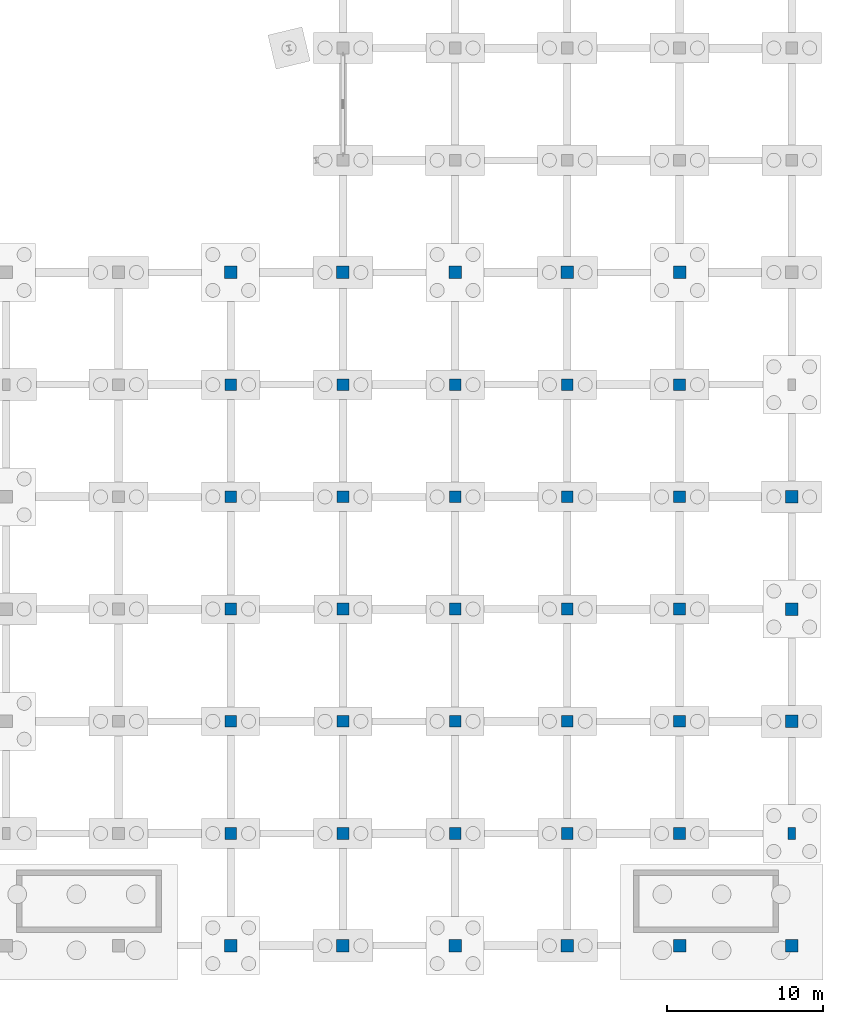
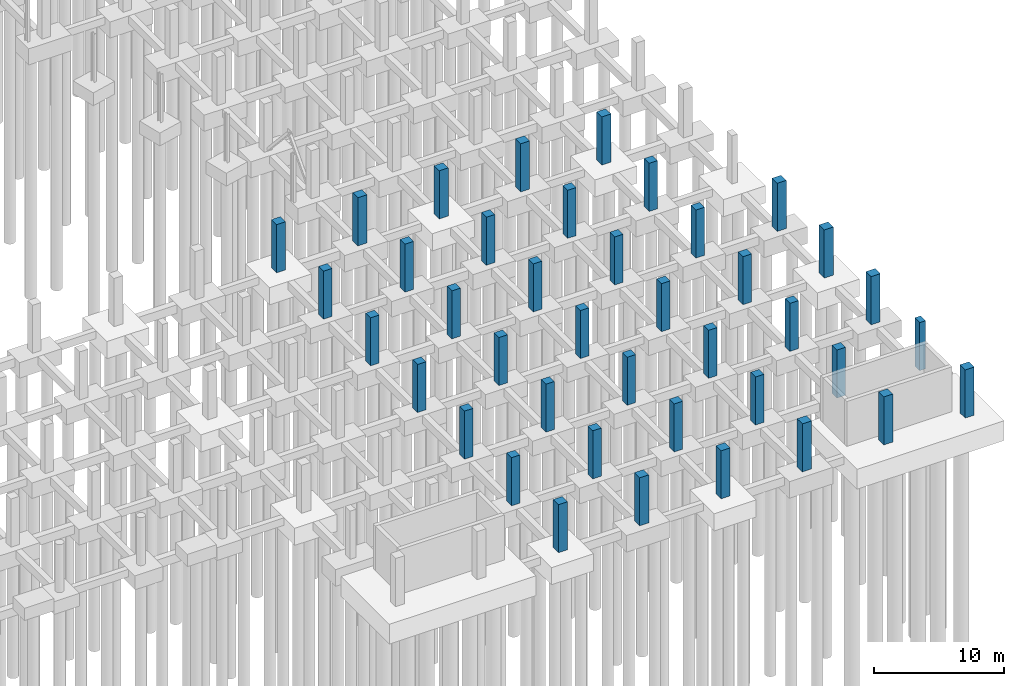
# One storey, part 19 of 36: 40 columns.
"""IFC4 building model written with IfcOpenShell, lengths in metres."""

from ifc_helpers import new_model, si_unit, direction, frame, origin, origin_2d, place, context, subcontext, project, spatial, rectangle, extrude, material, material_profile, profile_set, type_object, element, save


model = new_model("IFC4")

# Units and contexts
model_context = context("Model", 3, precision=1e-05, world=origin(), true_north=direction((0.0, 1.0)))
body_context = subcontext(model_context, "Body", "Model", "MODEL_VIEW")
ifc_project = project(units=[si_unit("LENGTHUNIT", "METRE"), si_unit("AREAUNIT", "SQUARE_METRE"), si_unit("VOLUMEUNIT", "CUBIC_METRE"), si_unit("PLANEANGLEUNIT", "RADIAN"), si_unit("MASSUNIT", "GRAM", prefix="KILO")], contexts=[model_context])

# Site, building, storey
site_placement = place(None, origin())
site = spatial("IfcSite", under=ifc_project, at=site_placement, CompositionType="ELEMENT")
building_placement = place(site_placement, origin())
building = spatial("IfcBuilding", under=site, at=building_placement, Name="Kalmorath City Hall", CompositionType="ELEMENT")
storey_placement = place(building_placement, frame((0.0, 0.0, -4.5)))
storey = spatial("IfcBuildingStorey", under=building, at=storey_placement, Name="B1", CompositionType="ELEMENT", Elevation=-4.5)

# Columns
ifc_material_1 = material(Name="Concrete C50/60", Category="concrete")
ifc_material_profile_1 = material_profile(ifc_material_1, rectangle(XDim=0.5, YDim=0.75, at=origin_2d()), Name="RC-PIL-500X750")
ifc_profile_set_1 = profile_set([ifc_material_profile_1], Name="Concrete C50/60")
column_type_1 = type_object("IfcColumnType", Name="Concrete acoustic wall pilaster 500x750", PredefinedType="PILASTER", material=ifc_profile_set_1)
column_placement = place(storey_placement, frame((165.60009765625, 7.199951171875, 0.0), z_axis=(0.0, 0.0, 1.0), x_axis=(1.0, 0.0, 0.0)))
element("IfcColumn", 1, at=column_placement, inside=storey, type_object=column_type_1, Name="B1 column CP1 (24/2)", PredefinedType="PILASTER", context=body_context, shape_type="SweptSolid", body=[
    extrude(rectangle(XDim=0.5, YDim=0.75, at=origin_2d()), origin(), (0.0, 0.0, 1.0), 4.5),
])
ifc_material_2 = material(Name="Concrete C50/60", Category="concrete")
ifc_material_profile_2 = material_profile(ifc_material_2, rectangle(XDim=0.75, YDim=0.75, at=origin_2d()), Name="RC-COL-750X750")
ifc_profile_set_2 = profile_set([ifc_material_profile_2], Name="Concrete C50/60")
column_type_2 = type_object("IfcColumnType", Name="Concrete column 750x750", PredefinedType="COLUMN", material=ifc_profile_set_2)
for number, where, z_axis, x_axis, name in (
    (2, (129.60009765625, 7.199951171875, 0.0), (0.0, 0.0, 1.0), (1.0, 0.0, 0.0), "B1 column C3 (19/2)"),
    (3, (129.60009765625, 14.39990234375, 0.0), (0.0, 0.0, 1.0), (1.0, 0.0, 0.0), "B1 column C3 (19/3)"),
    (4, (129.60009765625, 21.60009765625, 0.0), (0.0, 0.0, 1.0), (1.0, 0.0, 0.0), "B1 column C3 (19/4)"),
    (5, (129.60009765625, 28.800048828125, 0.0), (0.0, 0.0, 1.0), (1.0, 0.0, 0.0), "B1 column C3 (19/5)"),
    (6, (129.60009765625, 36.0, 0.0), (0.0, 0.0, 1.0), (1.0, 0.0, 0.0), "B1 column C3 (19/6)"),
    (7, (136.800048828125, 7.199951171875, 0.0), (0.0, 0.0, 1.0), (1.0, 0.0, 0.0), "B1 column C3 (20/2)"),
    (8, (136.800048828125, 14.39990234375, 0.0), (0.0, 0.0, 1.0), (1.0, 0.0, 0.0), "B1 column C3 (20/3)"),
    (9, (136.800048828125, 21.60009765625, 0.0), (0.0, 0.0, 1.0), (1.0, 0.0, 0.0), "B1 column C3 (20/4)"),
    (10, (136.800048828125, 28.800048828125, 0.0), (0.0, 0.0, 1.0), (1.0, 0.0, 0.0), "B1 column C3 (20/5)"),
    (11, (136.800048828125, 36.0, 0.0), (0.0, 0.0, 1.0), (1.0, 0.0, 0.0), "B1 column C3 (20/6)"),
    (12, (144.0, 7.199951171875, 0.0), (0.0, 0.0, 1.0), (1.0, 0.0, 0.0), "B1 column C3 (21/2)"),
    (13, (144.0, 14.39990234375, 0.0), (0.0, 0.0, 1.0), (1.0, 0.0, 0.0), "B1 column C3 (21/3)"),
    (14, (144.0, 21.60009765625, 0.0), (0.0, 0.0, 1.0), (1.0, 0.0, 0.0), "B1 column C3 (21/4)"),
    (15, (144.0, 28.800048828125, 0.0), (0.0, 0.0, 1.0), (1.0, 0.0, 0.0), "B1 column C3 (21/5)"),
    (16, (144.0, 36.0, 0.0), (0.0, 0.0, 1.0), (1.0, 0.0, 0.0), "B1 column C3 (21/6)"),
    (17, (151.199951171875, 7.199951171875, 0.0), (0.0, 0.0, 1.0), (1.0, 0.0, 0.0), "B1 column C3 (22/2)"),
    (18, (151.199951171875, 14.39990234375, 0.0), (0.0, 0.0, 1.0), (1.0, 0.0, 0.0), "B1 column C3 (22/3)"),
    (19, (151.199951171875, 21.60009765625, 0.0), (0.0, 0.0, 1.0), (1.0, 0.0, 0.0), "B1 column C3 (22/4)"),
    (20, (151.199951171875, 28.800048828125, 0.0), (0.0, 0.0, 1.0), (1.0, 0.0, 0.0), "B1 column C3 (22/5)"),
    (21, (151.199951171875, 36.0, 0.0), (0.0, 0.0, 1.0), (1.0, 0.0, 0.0), "B1 column C3 (22/6)"),
    (22, (158.39990234375, 7.199951171875, 0.0), (0.0, 0.0, 1.0), (1.0, 0.0, 0.0), "B1 column C3 (23/2)"),
    (23, (158.39990234375, 14.39990234375, 0.0), (0.0, 0.0, 1.0), (1.0, 0.0, 0.0), "B1 column C3 (23/3)"),
    (24, (158.39990234375, 21.60009765625, 0.0), (0.0, 0.0, 1.0), (1.0, 0.0, 0.0), "B1 column C3 (23/4)"),
    (25, (158.39990234375, 28.800048828125, 0.0), (0.0, 0.0, 1.0), (1.0, 0.0, 0.0), "B1 column C3 (23/5)"),
    (26, (158.39990234375, 36.0, 0.0), (0.0, 0.0, 1.0), (1.0, 0.0, 0.0), "B1 column C3 (23/6)"),
):
    element("IfcColumn", number, at=place(storey_placement, frame(where, z_axis=z_axis, x_axis=x_axis)), inside=storey, type_object=column_type_2, Name=name, PredefinedType="COLUMN", context=body_context, shape_type="SweptSolid", body=[
        extrude(rectangle(XDim=0.75, YDim=0.75, at=origin_2d()), origin(), (0.0, 0.0, 1.0), 4.5),
    ])
ifc_material_3 = material(Name="Concrete C50/60", Category="concrete")
ifc_material_profile_3 = material_profile(ifc_material_3, rectangle(XDim=0.800048828125, YDim=0.800048828125, at=origin_2d()), Name="RC-COL-800X800")
ifc_profile_set_3 = profile_set([ifc_material_profile_3], Name="Concrete C50/60")
column_type_3 = type_object("IfcColumnType", Name="Concrete column 800x800", PredefinedType="COLUMN", material=ifc_profile_set_3)
for number, where, z_axis, x_axis, name in (
    (27, (129.60009765625, 0.0, 0.0), (0.0, 0.0, 1.0), (1.0, 0.0, 0.0), "B1 column C2 (19/1)"),
    (28, (129.60009765625, 43.199951171875, 0.0), (0.0, 0.0, 1.0), (1.0, 0.0, 0.0), "B1 column C2 (19/7)"),
    (29, (136.800048828125, 0.0, 0.0), (0.0, 0.0, 1.0), (1.0, 0.0, 0.0), "B1 column C2 (20/1)"),
    (30, (136.800048828125, 43.199951171875, 0.0), (0.0, 0.0, 1.0), (1.0, 0.0, 0.0), "B1 column C2 (20/7)"),
    (31, (144.0, 0.0, 0.0), (0.0, 0.0, 1.0), (1.0, 0.0, 0.0), "B1 column C2 (21/1)"),
    (32, (144.0, 43.199951171875, 0.0), (0.0, 0.0, 1.0), (1.0, 0.0, 0.0), "B1 column C2 (21/7)"),
    (33, (151.199951171875, 0.0, 0.0), (0.0, 0.0, 1.0), (1.0, 0.0, 0.0), "B1 column C2 (22/1)"),
    (34, (151.199951171875, 43.199951171875, 0.0), (0.0, 0.0, 1.0), (1.0, 0.0, 0.0), "B1 column C2 (22/7)"),
    (35, (158.39990234375, 0.0, 0.0), (0.0, 0.0, 1.0), (1.0, 0.0, 0.0), "B1 column C2 (23/1)"),
    (36, (158.39990234375, 43.199951171875, 0.0), (0.0, 0.0, 1.0), (1.0, 0.0, 0.0), "B1 column C2 (23/7)"),
    (37, (165.60009765625, 0.0, 0.0), (0.0, 0.0, 1.0), (1.0, 0.0, 0.0), "B1 column C2 (24/1)"),
    (38, (165.60009765625, 14.39990234375, 0.0), (0.0, 0.0, 1.0), (1.0, 0.0, 0.0), "B1 column C2 (24/3)"),
    (39, (165.60009765625, 21.60009765625, 0.0), (0.0, 0.0, 1.0), (1.0, 0.0, 0.0), "B1 column C2 (24/4)"),
    (40, (165.60009765625, 28.800048828125, 0.0), (0.0, 0.0, 1.0), (1.0, 0.0, 0.0), "B1 column C2 (24/5)"),
):
    element("IfcColumn", number, at=place(storey_placement, frame(where, z_axis=z_axis, x_axis=x_axis)), inside=storey, type_object=column_type_3, Name=name, PredefinedType="COLUMN", context=body_context, shape_type="SweptSolid", body=[
        extrude(rectangle(XDim=0.800048828125, YDim=0.800048828125, at=origin_2d()), origin(), (0.0, 0.0, 1.0), 4.5),
    ])

save(model, "model.ifc")
